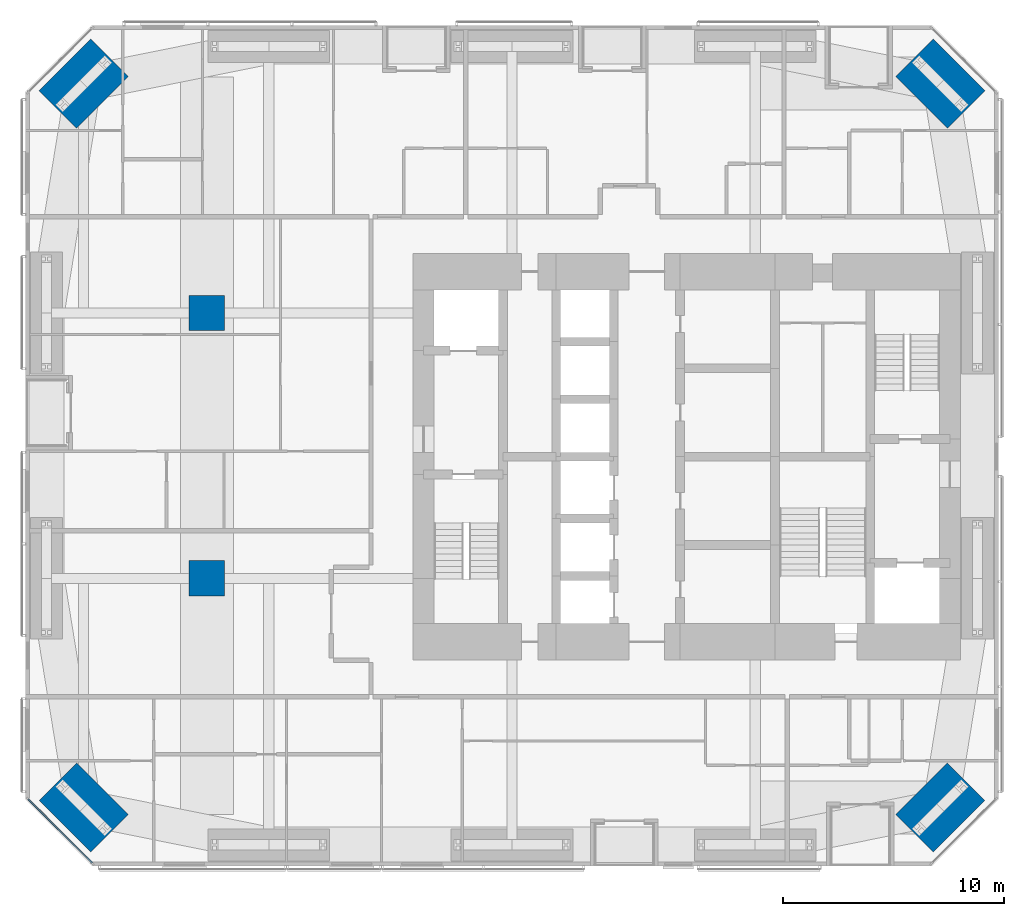
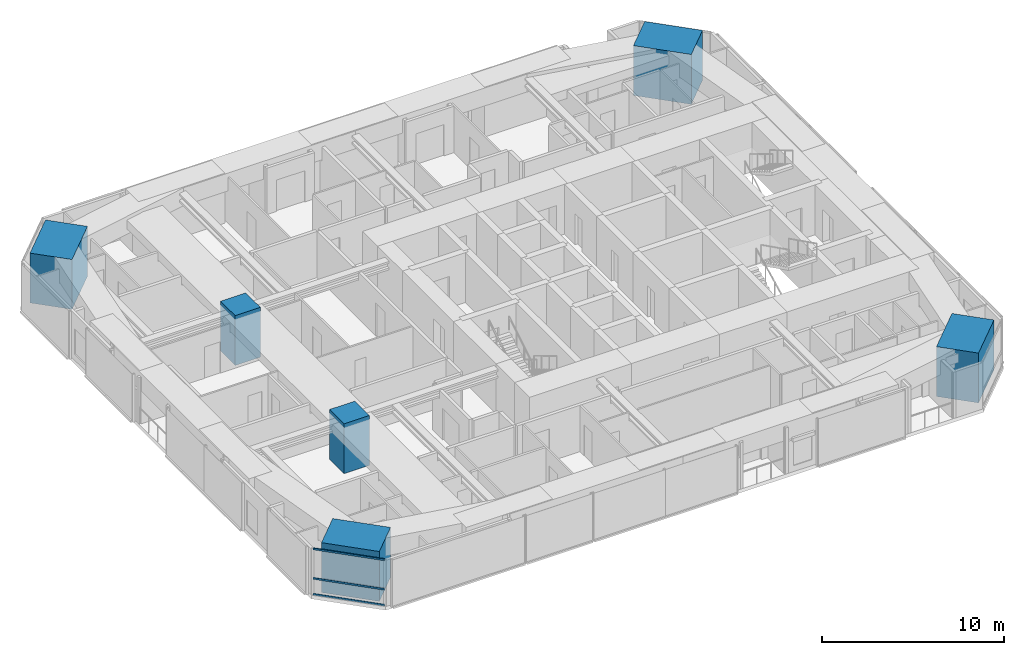
# One storey, part 1 of 24: 6 columns, 3 members, 1 element without a shape of its own.
"""IFC4 building model written with IfcOpenShell, lengths in metres."""

from ifc_helpers import new_model, si_unit, direction, frame, origin, origin_2d, place, context, subcontext, project, spatial, rectangle, extrude, material, material_profile, profile_set, type_object, element, aggregate, save


model = new_model("IFC4")

# Units and contexts
model_context = context("Model", 3, precision=1e-05, world=origin(), true_north=direction((0.0, 1.0)))
body_context = subcontext(model_context, "Body", "Model", "MODEL_VIEW")
ifc_project = project(units=[si_unit("LENGTHUNIT", "METRE"), si_unit("AREAUNIT", "SQUARE_METRE"), si_unit("VOLUMEUNIT", "CUBIC_METRE"), si_unit("PLANEANGLEUNIT", "RADIAN"), si_unit("MASSUNIT", "GRAM", prefix="KILO")], contexts=[model_context])

# Site, building, storey
site_placement = place(None, origin())
site = spatial("IfcSite", under=ifc_project, at=site_placement, CompositionType="ELEMENT")
building_placement = place(site_placement, origin())
building = spatial("IfcBuilding", under=site, at=building_placement, Name="Jalousie Tower", CompositionType="ELEMENT")
storey_placement = place(building_placement, frame((0.0, 0.0, 51.14990234375)))
storey = spatial("IfcBuildingStorey", under=building, at=storey_placement, Name="L13", CompositionType="ELEMENT", Elevation=51.14990234375)

# Columns
ifc_material_1 = material(Name="Concrete f'c 120 MPa", Category="concrete")
ifc_material_profile_1 = material_profile(ifc_material_1, rectangle(XDim=1.60009765625, YDim=1.60009765625, at=origin_2d()), Name="RC 1600x1600")
ifc_profile_set_1 = profile_set([ifc_material_profile_1], Name="Concrete f'c 120 MPa")
column_type_1 = type_object("IfcColumnType", Name="RC COLUMN 1600x1600", PredefinedType="COLUMN", material=ifc_profile_set_1)
for number, where, z_axis, x_axis, name in (
    (1, (10.199951171875, 13.0, 0.0), (0.0, 0.0, 1.0), (1.0, 0.0, 0.0), "Interior column IA1 L13"),
    (2, (10.199951171875, 25.0, 0.0), (0.0, 0.0, 1.0), (1.0, 0.0, 0.0), "Interior column IA2 L13"),
):
    element("IfcColumn", number, at=place(storey_placement, frame(where, z_axis=z_axis, x_axis=x_axis)), inside=storey, type_object=column_type_1, Name=name, PredefinedType="COLUMN", context=body_context, shape_type="SweptSolid", body=[
        extrude(rectangle(XDim=1.60009765625, YDim=1.60009765625, at=origin_2d()), origin(), (0.0, 0.0, 1.0), 3.35009765625),
    ])
ifc_material_2 = material(Name="Concrete f'c 120 MPa", Category="concrete")
ifc_material_profile_2 = material_profile(ifc_material_2, rectangle(XDim=2.39990234375, YDim=3.300048828125, at=origin_2d()), Name="RC 2400x3300")
ifc_profile_set_2 = profile_set([ifc_material_profile_2], Name="Concrete f'c 120 MPa")
column_type_2 = type_object("IfcColumnType", Name="RC CORNER COLUMN 2400x3300", PredefinedType="COLUMN", material=ifc_profile_set_2)
for number, where, z_axis, x_axis, name in (
    (3, (4.63134765625, 2.63134765625, 0.0), (0.0, 0.0, 1.0), (0.707106781187, 0.707106781187, 0.0), "Corner column 01 L13"),
    (4, (43.36865234375, 2.63134765625, 0.0), (0.0, 0.0, 1.0), (-0.707106781187, 0.707106781187, 0.0), "Corner column 05 L13"),
    (5, (43.36865234375, 35.36865234375, 0.0), (0.0, 0.0, 1.0), (-0.707106781187, -0.707106781187, 0.0), "Corner column 08 L13"),
    (6, (4.63134765625, 35.36865234375, 0.0), (0.0, 0.0, 1.0), (0.707106781187, -0.707106781187, 0.0), "Corner column 12 L13"),
):
    element("IfcColumn", number, at=place(storey_placement, frame(where, z_axis=z_axis, x_axis=x_axis)), inside=storey, type_object=column_type_2, Name=name, PredefinedType="COLUMN", context=body_context, shape_type="SweptSolid", body=[
        extrude(rectangle(XDim=2.39990234375, YDim=3.300048828125, at=origin_2d()), origin(), (0.0, 0.0, 1.0), 3.35009765625),
    ])

# Curtain wall, members
ifc_material_3 = material(Name="Aluminium curtain wall", Category="aluminium")
curtain_wall_type = type_object("IfcCurtainWallType", Name="CORNER WINDOW WALL", PredefinedType="USERDEFINED", material=ifc_material_3)
curtain_wall_placement = place(storey_placement, origin())
curtain_wall = element("IfcCurtainWall", 7, at=curtain_wall_placement, inside=storey, type_object=curtain_wall_type, Name="Corner Window Wall L13 8", ObjectType="CORNER WINDOW WALL", PredefinedType="USERDEFINED")
ifc_material_4 = material(Name="Aluminium transom", Category="aluminium")
ifc_material_profile_3 = material_profile(ifc_material_4, rectangle(XDim=0.06005859375, YDim=0.1201171875, at=origin_2d()), Name="TRANSOM 60x120")
ifc_profile_set_3 = profile_set([ifc_material_profile_3], Name="Aluminium transom")
member_type = type_object("IfcMemberType", Name="CORNER WINDOW WALL TRANSOM", PredefinedType="USERDEFINED", material=ifc_profile_set_3)
member_1_placement = place(storey_placement, frame((2.1298828125, 3.0087890625, 0.030029296875), z_axis=(0.707106781187, -0.707106781187, 0.0), x_axis=(0.707106781187, 0.707106781187, 0.0)))
member_1 = element("IfcMember", 8, at=member_1_placement, type_object=member_type, Name="CW-C transom 1.1", ObjectType="TRANSOM", PredefinedType="USERDEFINED", context=body_context, shape_type="SweptSolid", body=[
    extrude(rectangle(XDim=0.06005859375, YDim=0.1201171875, at=origin_2d()), origin(), (0.0, 0.0, 1.0), 4.0712890625),
])
member_2_placement = place(storey_placement, frame((2.1298828125, 3.0087890625, 1.10009765625), z_axis=(0.707106781187, -0.707106781187, 0.0), x_axis=(0.707106781187, 0.707106781187, 0.0)))
member_2 = element("IfcMember", 9, at=member_2_placement, type_object=member_type, Name="CW-C transom 1.2", ObjectType="TRANSOM", PredefinedType="USERDEFINED", context=body_context, shape_type="SweptSolid", body=[
    extrude(rectangle(XDim=0.06005859375, YDim=0.1201171875, at=origin_2d()), origin(), (0.0, 0.0, 1.0), 4.0712890625),
])
member_3_placement = place(storey_placement, frame((2.1298828125, 3.0087890625, 3.080078125), z_axis=(0.707106781187, -0.707106781187, 0.0), x_axis=(0.707106781187, 0.707106781187, 0.0)))
member_3 = element("IfcMember", 10, at=member_3_placement, type_object=member_type, Name="CW-C transom 1.3", ObjectType="TRANSOM", PredefinedType="USERDEFINED", context=body_context, shape_type="SweptSolid", body=[
    extrude(rectangle(XDim=0.06005859375, YDim=0.1201171875, at=origin_2d()), origin(), (0.0, 0.0, 1.0), 4.0712890625),
])
aggregate(curtain_wall, [member_1, member_2, member_3])

save(model, "model.ifc")
